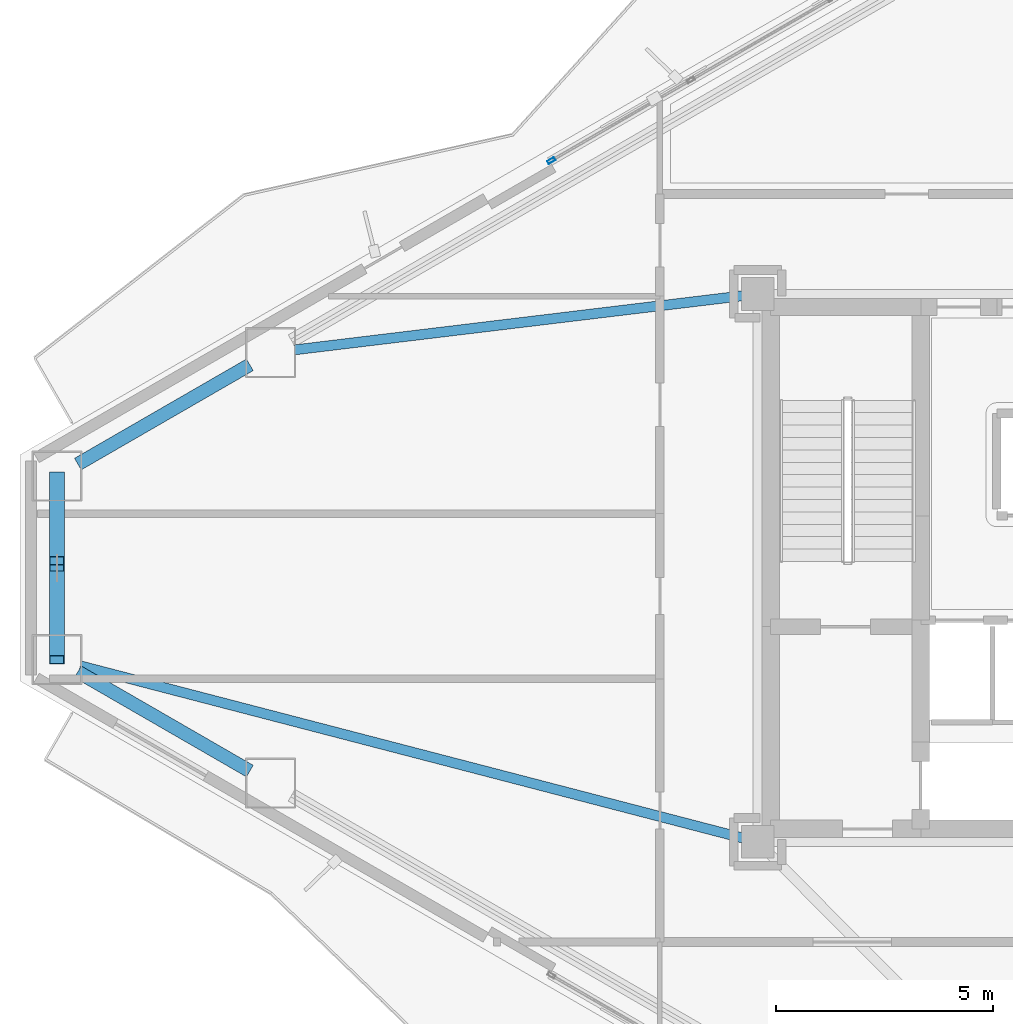
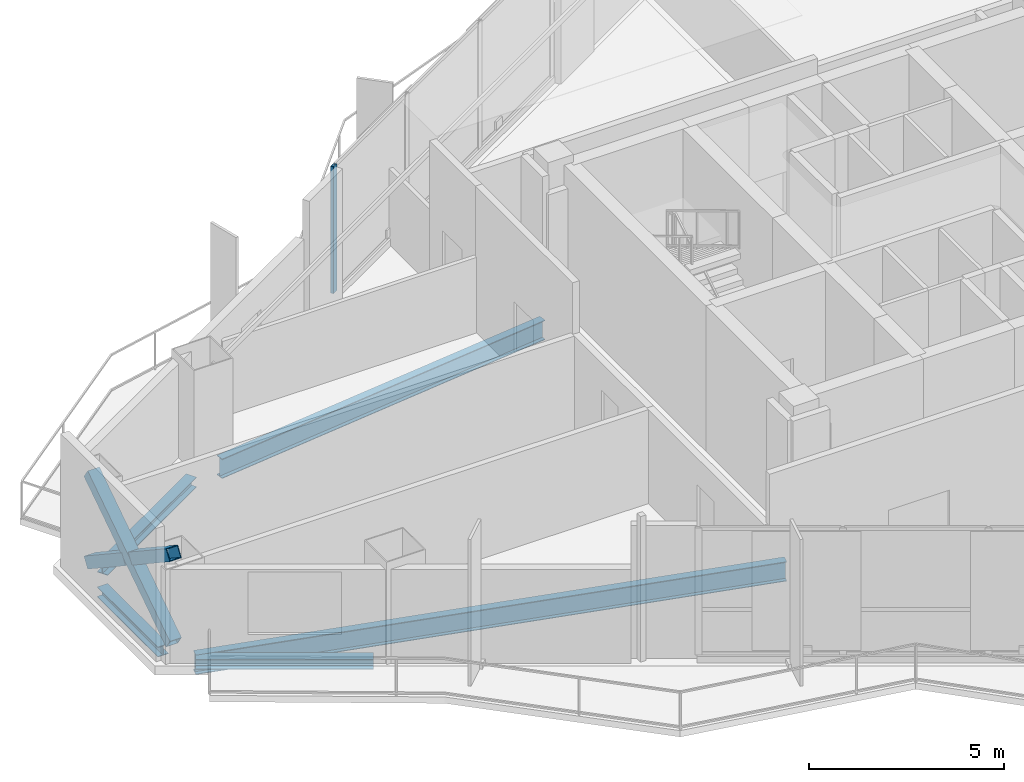
# One storey, part 5 of 20: 5 beams, 4 members, 1 element without a shape of its own.
"""IFC4 building model written with IfcOpenShell, lengths in metres."""

from ifc_helpers import new_model, si_unit, direction, frame, origin, origin_2d, place, context, subcontext, project, spatial, hollow_rectangle, i_section, extrude, material, layer, layer_set, material_profile, profile_set, type_object, element, aggregate, save


model = new_model("IFC4")

# Units and contexts
model_context = context("Model", 3, precision=1e-05, world=origin(), true_north=direction((0.0, 1.0)))
body_context = subcontext(model_context, "Body", "Model", "MODEL_VIEW")
ifc_project = project(units=[si_unit("LENGTHUNIT", "METRE"), si_unit("AREAUNIT", "SQUARE_METRE"), si_unit("VOLUMEUNIT", "CUBIC_METRE"), si_unit("PLANEANGLEUNIT", "RADIAN"), si_unit("MASSUNIT", "GRAM", prefix="KILO")], contexts=[model_context])

# Site, building, storey
site_placement = place(None, origin())
site = spatial("IfcSite", under=ifc_project, at=site_placement, CompositionType="ELEMENT")
building_placement = place(site_placement, origin())
building = spatial("IfcBuilding", under=site, at=building_placement, Name="Mersakhor Tower and Convention Hall", CompositionType="ELEMENT")
storey_placement = place(building_placement, frame((0.0, 0.0, 116.39990234375)))
storey = spatial("IfcBuildingStorey", under=building, at=storey_placement, Name="L32", CompositionType="ELEMENT", Elevation=116.39990234375)

# Beams
ifc_material_1 = material(Name="Steel S355", Category="steel")
ifc_material_profile_1 = material_profile(ifc_material_1, i_section(OverallWidth=0.22900390625, OverallDepth=0.6123046875, WebThickness=0.011962890625, FlangeThickness=0.01953125, at=origin_2d()), Name="UB 610x229x125")
ifc_profile_set_1 = profile_set([ifc_material_profile_1], Name="Steel S355")
beam_type_1 = type_object("IfcBeamType", Name="BM-PR-610", PredefinedType="BEAM", material=ifc_profile_set_1)
beam_1_placement = place(storey_placement, frame((21.547607421875, 33.007568359375, -0.5859375), z_axis=(-0.992798075666, -0.119799753563, 0.0), x_axis=(0.119799753563, -0.992798075666, 0.0)))
element("IfcBeam", 1, at=beam_1_placement, inside=storey, type_object=beam_type_1, Name="L32 Primary Floor Girder FG-1", PredefinedType="BEAM", context=body_context, shape_type="SweptSolid", body=[
    extrude(i_section(OverallWidth=0.22900390625, OverallDepth=0.6123046875, WebThickness=0.011962890625, FlangeThickness=0.01953125, at=origin_2d()), origin(), (0.0, 0.0, 1.0), 10.368896484375),
])
beam_2_placement = place(storey_placement, frame((21.556396484375, 20.539306640625, -0.5859375), z_axis=(-0.967826964314, 0.251616706812, 0.0), x_axis=(-0.251616706812, -0.967826964314, 0.0)))
element("IfcBeam", 2, at=beam_2_placement, inside=storey, type_object=beam_type_1, Name="L32 Primary Floor Girder FG-6", PredefinedType="BEAM", context=body_context, shape_type="SweptSolid", body=[
    extrude(i_section(OverallWidth=0.22900390625, OverallDepth=0.6123046875, WebThickness=0.011962890625, FlangeThickness=0.01953125, at=origin_2d()), origin(), (0.0, 0.0, 1.0), 15.739013671875),
])
ifc_material_2 = material(Name="Steel S355", Category="steel")
ifc_material_profile_2 = material_profile(ifc_material_2, i_section(OverallWidth=0.30908203125, OverallDepth=0.320556640625, WebThickness=0.013916015625, FlangeThickness=0.021728515625, at=origin_2d()), Name="UC 305x305x137")
ifc_profile_set_2 = profile_set([ifc_material_profile_2], Name="Steel S355")
beam_type_2 = type_object("IfcBeamType", Name="BM-SPD-UC305", PredefinedType="SPANDREL", material=ifc_profile_set_2)
for number, where, z_axis, x_axis, name in (
    (3, (6.267333984375, 29.13818359375, -0.440185546875), (0.866023543838, 0.500003221507, 0.0), (-0.500003221507, 0.866023543838, 0.0), "L32 Perimeter Spandrel Beam SPB-01"),
    (4, (10.221923828125, 22.07861328125, -0.440185546875), (-0.866023543838, 0.500003221507, 0.0), (-0.500003221507, -0.866023543838, 0.0), "L32 Perimeter Spandrel Beam SPB-11"),
):
    element("IfcBeam", number, at=place(storey_placement, frame(where, z_axis=z_axis, x_axis=x_axis)), inside=storey, type_object=beam_type_2, Name=name, PredefinedType="SPANDREL", context=body_context, shape_type="SweptSolid", body=[
        extrude(i_section(OverallWidth=0.30908203125, OverallDepth=0.320556640625, WebThickness=0.013916015625, FlangeThickness=0.021728515625, at=origin_2d()), origin(), (0.0, 0.0, 1.0), 4.56640625),
    ])
beam_3_placement = place(storey_placement, frame((5.78662109375, 25.194091796875, -0.440185546875), z_axis=(0.0, 1.0, 0.0), x_axis=(-1.0, 0.0, 0.0)))
element("IfcBeam", 5, at=beam_3_placement, inside=storey, type_object=beam_type_2, Name="L32 Perimeter Spandrel Beam SPB-12", PredefinedType="SPANDREL", context=body_context, shape_type="SweptSolid", body=[
    extrude(i_section(OverallWidth=0.30908203125, OverallDepth=0.320556640625, WebThickness=0.013916015625, FlangeThickness=0.021728515625, at=origin_2d()), origin(), (0.0, 0.0, 1.0), 3.11181640625),
])

# Curtain wall, member
ifc_material_3 = material(Name="Dark solar low-E aluminium curtain wall", Category="aluminium")
ifc_layer = layer(ifc_material_3, 0.199951171875)
ifc_layer_set = layer_set([ifc_layer], Name="Dark solar low-E aluminium curtain wall")
curtain_wall_type = type_object("IfcCurtainWallType", Name="CW-SYS-05", PredefinedType="USERDEFINED", material=ifc_layer_set)
curtain_wall_placement = place(storey_placement, origin())
curtain_wall = element("IfcCurtainWall", 6, at=curtain_wall_placement, inside=storey, type_object=curtain_wall_type, Name="L32 Dark-Glass Curtain Wall F1-B2", ObjectType="CURTAIN WALL", PredefinedType="USERDEFINED")
ifc_material_4 = material(Name="Anodised aluminium EN AW-6063 T6", Category="aluminium")
ifc_material_profile_3 = material_profile(ifc_material_4, hollow_rectangle(XDim=0.080078125, YDim=0.179931640625, WallThickness=0.008056640625, at=origin_2d()), Name="RHS 180x80x8")
ifc_profile_set_3 = profile_set([ifc_material_profile_3], Name="Anodised aluminium EN AW-6063 T6")
member_type_1 = type_object("IfcMemberType", Name="CWM-180x80", PredefinedType="MULLION", material=ifc_profile_set_3)
member_1_placement = place(storey_placement, frame((17.15478515625, 36.116943359375, 0.2001953125), z_axis=(0.0, 0.0, 1.0), x_axis=(-0.499997904985, 0.866026613339, 0.0)))
member_1 = element("IfcMember", 7, at=member_1_placement, type_object=member_type_1, Name="CW-05 mullion 1", PredefinedType="MULLION", context=body_context, shape_type="SweptSolid", body=[
    extrude(hollow_rectangle(XDim=0.080078125, YDim=0.179931640625, WallThickness=0.008056640625, at=origin_2d()), origin(), (0.0, 0.0, 1.0), 3.97998046875),
])
aggregate(curtain_wall, [member_1])

# Members
ifc_material_5 = material(Name="Steel S460", Category="steel")
ifc_material_profile_4 = material_profile(ifc_material_5, hollow_rectangle(XDim=0.35009765625, YDim=0.35009765625, WallThickness=0.02001953125, at=origin_2d()), Name="SHS 350x350x20")
ifc_profile_set_4 = profile_set([ifc_material_profile_4], Name="Steel S460")
member_type_2 = type_object("IfcMemberType", Name="MB-BRC-SHS350", PredefinedType="BRACE", material=ifc_profile_set_4)
member_2_placement = place(storey_placement, frame((5.78662109375, 24.63916015625, 0.150146484375), z_axis=(0.0, 0.83427032998, 0.551355617107), x_axis=(-1.0, 0.0, 0.0)))
element("IfcMember", 8, at=member_2_placement, inside=storey, type_object=member_type_2, Name="L32 Chamfer Braced Frame Diagonal CB-3A", PredefinedType="BRACE", context=body_context, shape_type="SweptSolid", body=[
    extrude(hollow_rectangle(XDim=0.35009765625, YDim=0.35009765625, WallThickness=0.02001953125, at=origin_2d()), origin(), (0.0, 0.0, 1.0), 5.060302734375),
])
for number, where, z_axis, x_axis, name in (
    (9, (5.78662109375, 28.86083984375, 0.150146484375), (0.0, -0.834298345082, 0.551313224395), (1.0, 0.0, 0.0), "L32 Chamfer Braced Frame Diagonal CB-3B Lower Half"),
    (10, (5.78662109375, 26.584716796875, 1.654296875), (0.0, -0.834250190128, 0.551386090024), (1.0, 0.0, 0.0), "L32 Chamfer Braced Frame Diagonal CB-3B Upper Half"),
):
    element("IfcMember", number, at=place(storey_placement, frame(where, z_axis=z_axis, x_axis=x_axis)), inside=storey, type_object=member_type_2, Name=name, PredefinedType="BRACE", context=body_context, shape_type="SweptSolid", body=[
        extrude(hollow_rectangle(XDim=0.35009765625, YDim=0.35009765625, WallThickness=0.02001953125, at=origin_2d()), origin(), (0.0, 0.0, 1.0), 2.33203125),
    ])

save(model, "model.ifc")
